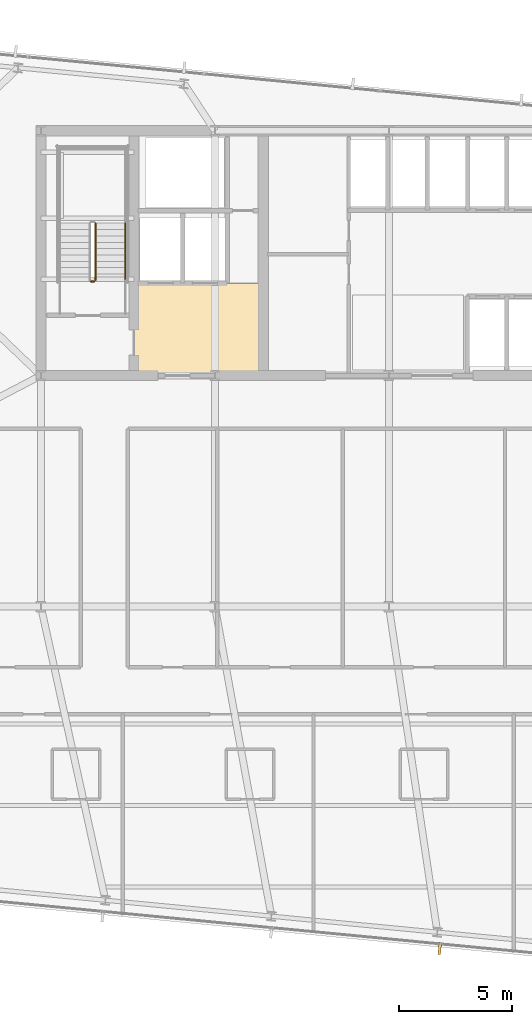
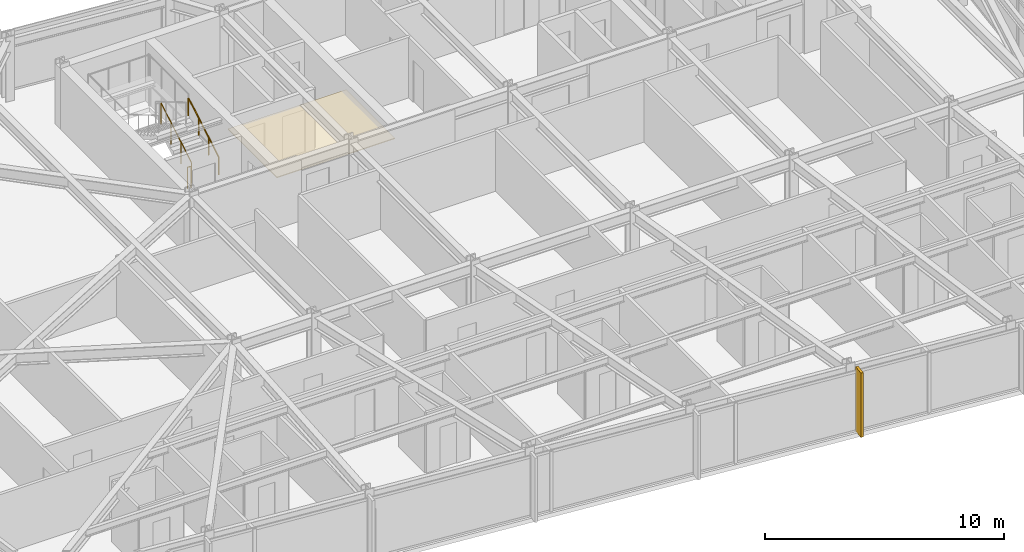
# One storey, part 34 of 38: 3 railings, 1 covering, 1 shading device.
"""IFC4 building model written with IfcOpenShell, lengths in metres."""

from ifc_helpers import new_model, si_unit, direction, frame, origin, origin_2d, place, context, subcontext, project, spatial, polyline, rectangle, circle, outline, extrude, material, layer, layer_set, type_object, element, save


model = new_model("IFC4")

# Units and contexts
model_context = context("Model", 3, precision=1e-05, world=origin(), true_north=direction((0.0, 1.0)))
body_context = subcontext(model_context, "Body", "Model", "MODEL_VIEW")
ifc_project = project(units=[si_unit("LENGTHUNIT", "METRE"), si_unit("AREAUNIT", "SQUARE_METRE"), si_unit("VOLUMEUNIT", "CUBIC_METRE"), si_unit("PLANEANGLEUNIT", "RADIAN"), si_unit("MASSUNIT", "GRAM", prefix="KILO")], contexts=[model_context])

# Site, building, storey
site_placement = place(None, origin())
site = spatial("IfcSite", under=ifc_project, at=site_placement, CompositionType="ELEMENT")
building_placement = place(site_placement, origin())
building = spatial("IfcBuilding", under=site, at=building_placement, Name="Yelkora Congress Tower", CompositionType="ELEMENT")
storey_placement = place(building_placement, frame((0.0, 0.0, 185.300048828125)))
storey = spatial("IfcBuildingStorey", under=building, at=storey_placement, Name="L51", CompositionType="ELEMENT", Elevation=185.300048828125)

# Covering
ifc_material_1 = material(Name="Perforated mineral-fibre acoustic ceiling", Category="gypsum")
ifc_layer_1 = layer(ifc_material_1, 0.0400390625)
ifc_layer_set_1 = layer_set([ifc_layer_1], Name="Perforated mineral-fibre acoustic ceiling")
covering_type = type_object("IfcCoveringType", Name="COV-CEIL-ACOUSTIC-40", PredefinedType="CEILING", material=ifc_layer_set_1)
covering_placement = place(storey_placement, frame((0.0, 0.0, 2.39990234375)))
element("IfcCovering", 1, at=covering_placement, inside=storey, type_object=covering_type, Name="L51 Firefighting Lobby Acoustic Ceiling", PredefinedType="CEILING", context=body_context, shape_type="SweptSolid", body=[
    extrude(outline(polyline([(27.14990234375, 35.39990234375), (32.85009765625, 35.39990234375), (32.85009765625, 39.47998046875), (27.14990234375, 39.47998046875), (27.14990234375, 35.39990234375)])), origin(), (0.0, 0.0, 1.0), 0.0400390625),
])

# Railings
ifc_material_2 = material(Name="Painted galvanised steel stair well guard with vertical infill", Category="steel")
ifc_layer_2 = layer(ifc_material_2, 0.06005859375)
ifc_layer_set_2 = layer_set([ifc_layer_2], Name="Painted galvanised steel stair well guard with vertical infill")
railing_type_1 = type_object("IfcRailingType", Name="RAIL-STAIR-GUARD-1120", PredefinedType="GUARDRAIL", material=ifc_layer_set_2)
railing_1_placement = place(storey_placement, frame((25.449951171875, 39.60009765625, 0.1650390625)))
element("IfcRailing", 2, at=railing_1_placement, inside=storey, type_object=railing_type_1, Name="ST-01 L51 Stair Well Guardrail 1", PredefinedType="GUARDRAIL", context=body_context, shape_type="SweptSolid", body=[
    extrude(circle(Radius=0.02392578125, at=origin_2d()), frame((0.0, 0.0, 1.09619140625), z_axis=(0.0, 0.861560626758, 0.507654692109), x_axis=(-1.0, 0.0, 0.0)), (0.0, 0.0, 1.0), 2.925048828125),
    extrude(circle(Radius=0.02099609375, at=origin_2d()), origin(), (0.0, 0.0, 1.0), 1.072021484375),
    extrude(circle(Radius=0.02099609375, at=origin_2d()), frame((0.0, 0.840087890625, 0.494873046875)), (0.0, 0.0, 1.0), 1.072021484375),
    extrude(circle(Radius=0.02099609375, at=origin_2d()), frame((0.0, 1.679931640625, 0.989990234375)), (0.0, 0.0, 1.0), 1.072021484375),
    extrude(circle(Radius=0.02099609375, at=origin_2d()), frame((0.0, 2.52001953125, 1.48486328125)), (0.0, 0.0, 1.0), 1.072021484375),
])
railing_2_placement = place(storey_placement, frame((25.39990234375, 39.550048828125, 0.0)))
element("IfcRailing", 3, at=railing_2_placement, inside=storey, type_object=railing_type_1, Name="ST-01 L51 Stair Well Guardrail 7", PredefinedType="GUARDRAIL", context=body_context, shape_type="SweptSolid", body=[
    extrude(circle(Radius=0.02392578125, at=origin_2d()), frame((0.0, 0.0, 1.09619140625), z_axis=(-1.0, 0.0, 0.0), x_axis=(0.0, -1.0, 0.0)), (0.0, 0.0, 1.0), 0.159912109375),
    extrude(circle(Radius=0.02099609375, at=origin_2d()), origin(), (0.0, 0.0, 1.0), 1.072021484375),
    extrude(circle(Radius=0.02099609375, at=origin_2d()), frame((-0.159912109375, 0.0, 0.0)), (0.0, 0.0, 1.0), 1.072021484375),
])
ifc_material_3 = material(Name="Brushed stainless steel tubular handrail", Category="steel")
ifc_layer_3 = layer(ifc_material_3, 0.050048828125)
ifc_layer_set_3 = layer_set([ifc_layer_3], Name="Brushed stainless steel tubular handrail")
railing_type_2 = type_object("IfcRailingType", Name="RAIL-STAIR-HAND-920", PredefinedType="HANDRAIL", material=ifc_layer_set_3)
railing_3_placement = place(storey_placement, frame((26.77001953125, 39.60009765625, 0.1650390625)))
element("IfcRailing", 4, at=railing_3_placement, inside=storey, type_object=railing_type_2, Name="ST-01 L51 Pitch Handrail 1", PredefinedType="HANDRAIL", context=body_context, shape_type="SweptSolid", body=[
    extrude(circle(Radius=0.02392578125, at=origin_2d()), frame((0.0, 0.0, 0.89599609375), z_axis=(0.0, 0.861560626758, 0.507654692109), x_axis=(-1.0, 0.0, 0.0)), (0.0, 0.0, 1.0), 2.925048828125),
    extrude(circle(Radius=0.02099609375, at=origin_2d()), origin(), (0.0, 0.0, 1.0), 0.871826171875),
    extrude(circle(Radius=0.02099609375, at=origin_2d()), frame((0.0, 0.840087890625, 0.494873046875)), (0.0, 0.0, 1.0), 0.871826171875),
    extrude(circle(Radius=0.02099609375, at=origin_2d()), frame((0.0, 1.679931640625, 0.989990234375)), (0.0, 0.0, 1.0), 0.871826171875),
    extrude(circle(Radius=0.02099609375, at=origin_2d()), frame((0.0, 2.52001953125, 1.48486328125)), (0.0, 0.0, 1.0), 0.871826171875),
])

# Shading device
ifc_material_4 = material(Name="Champagne anodised aluminium", Category="aluminium")
ifc_layer_4 = layer(ifc_material_4, 3.300048828125)
ifc_layer_set_4 = layer_set([ifc_layer_4], Name="Champagne anodised aluminium")
shading_device_type = type_object("IfcShadingDeviceType", Name="SHD-FIN-ALU-520", PredefinedType="USERDEFINED", material=ifc_layer_set_4)
shading_device_placement = place(storey_placement, frame((40.642333984375, 10.10791015625, -0.0302734375), z_axis=(0.0, 0.0, 1.0), x_axis=(-0.995396198367, 0.09584575252, 0.0)))
element("IfcShadingDevice", 5, at=shading_device_placement, inside=storey, type_object=shading_device_type, Name="L51 Vertical Anodised Solar Fin 20-2", ObjectType="FIN", PredefinedType="USERDEFINED", context=body_context, shape_type="SweptSolid", body=[
    extrude(rectangle(XDim=0.1201171875, YDim=0.52001953125, at=origin_2d()), origin(), (0.0, 0.0, 1.0), 3.280029296875),
])

save(model, "model.ifc")
